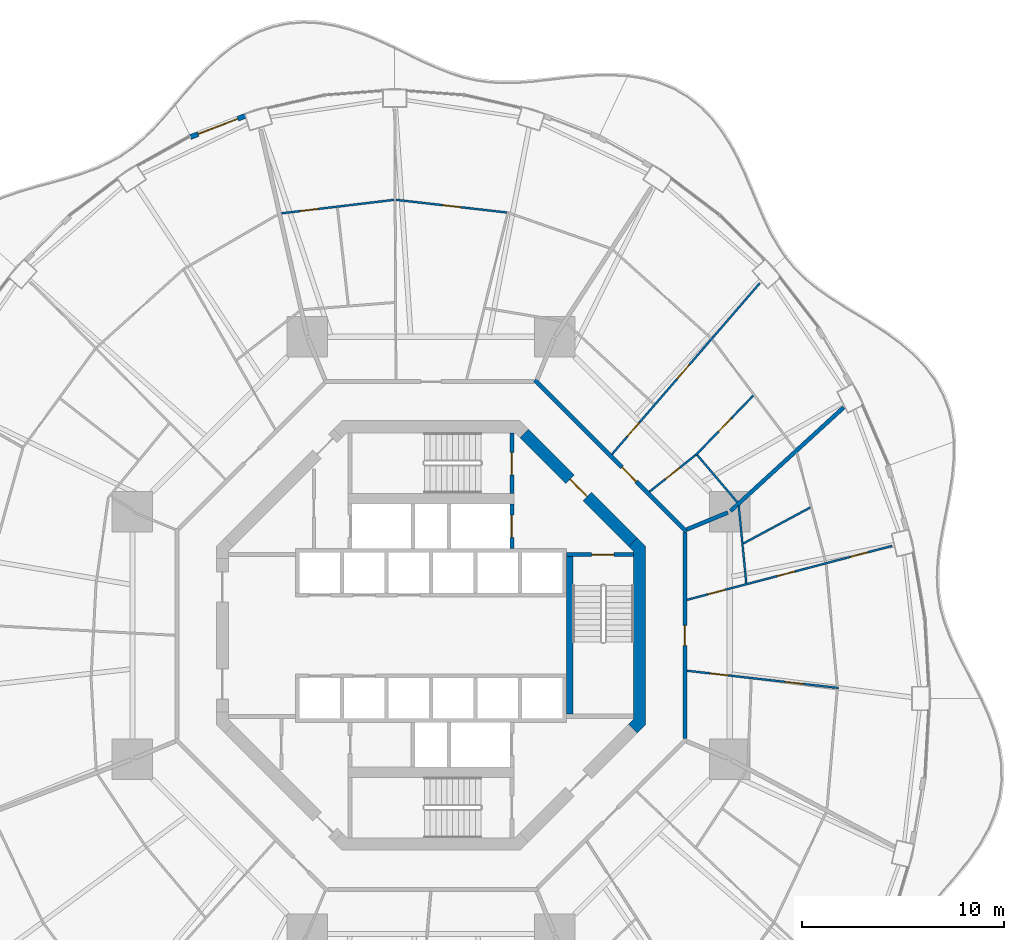
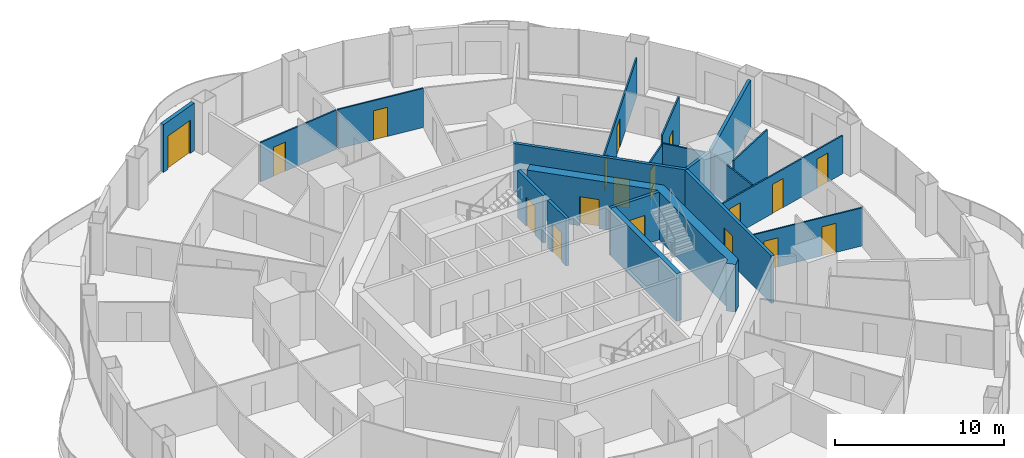
# One storey, part 16 of 20: 21 walls, 18 doors, 18 openings.
"""IFC4 building model written with IfcOpenShell, lengths in metres."""

from ifc_helpers import new_model, si_unit, direction, frame, frame_2d, origin, place, context, subcontext, project, spatial, polyline, rectangle, outline, extrude, material, layer, layer_set, type_object, element, fill, save


model = new_model("IFC4")

# Units and contexts
model_context = context("Model", 3, precision=1e-05, world=origin(), true_north=direction((0.0, 1.0)))
body_context = subcontext(model_context, "Body", "Model", "MODEL_VIEW")
ifc_project = project(units=[si_unit("LENGTHUNIT", "METRE"), si_unit("AREAUNIT", "SQUARE_METRE"), si_unit("VOLUMEUNIT", "CUBIC_METRE"), si_unit("PLANEANGLEUNIT", "RADIAN"), si_unit("MASSUNIT", "GRAM", prefix="KILO")], contexts=[model_context])

# Site, building, storey
site_placement = place(None, origin())
site = spatial("IfcSite", under=ifc_project, at=site_placement, CompositionType="ELEMENT")
building_placement = place(site_placement, origin())
building = spatial("IfcBuilding", under=site, at=building_placement, Name="Nagisa Residences", CompositionType="ELEMENT")
storey_placement = place(building_placement, frame((0.0, 0.0, 152.89990234375)))
storey = spatial("IfcBuildingStorey", under=building, at=storey_placement, Name="L38", CompositionType="ELEMENT", Elevation=152.89990234375)

# Walls
ifc_material_1 = material(Name="Gypsum board on steel studs", Category="steel")
ifc_layer_1 = layer(ifc_material_1, 0.199951171875)
ifc_layer_set_1 = layer_set([ifc_layer_1], Name="Apartment compartment wall EI60 200")
wall_type_1 = type_object("IfcWallType", Name="Apartment compartment wall EI60 200", PredefinedType="PARTITIONING", material=ifc_layer_set_1)
wall_1_placement = place(storey_placement, frame((12.6572265625, 5.24267578125, 0.0), z_axis=(0.0, 0.0, 1.0), x_axis=(0.923876145736, 0.382691608661, 0.0)))
element("IfcWall", 1, at=wall_1_placement, inside=storey, type_object=wall_type_1, Name="wall:L38:u00", PredefinedType="PARTITIONING", context=body_context, shape_type="SweptSolid", body=[
    extrude(rectangle(XDim=2.19970703125, YDim=0.199951171875, at=frame_2d((1.099853515625, 0.0))), origin(), (0.0, 0.0, 1.0), 3.440185546875),
])
wall_2_placement = place(storey_placement, frame((14.81884765625, 6.15673828125, 0.0), z_axis=(0.0, 0.0, 1.0), x_axis=(0.737608883396, 0.675228209671, 0.0)))
element("IfcWall", 2, at=wall_2_placement, inside=storey, type_object=wall_type_1, Name="wall:L38:u01", PredefinedType="PARTITIONING", context=body_context, shape_type="SweptSolid", body=[
    extrude(rectangle(XDim=7.596435546875, YDim=0.199951171875, at=frame_2d((3.79833984375, 0.0))), origin(), (0.0, 0.0, 1.0), 3.440185546875),
])

# Wall, opening, door
ifc_material_2 = material(Name="Gypsum board on steel studs", Category="steel")
ifc_layer_2 = layer(ifc_material_2, 0.199951171875)
ifc_layer_set_2 = layer_set([ifc_layer_2], Name="Apartment entry wall EI60 200")
wall_type_2 = type_object("IfcWallType", Name="Apartment entry wall EI60 200", PredefinedType="PARTITIONING", material=ifc_layer_set_2)
wall_3_placement = place(storey_placement, frame((12.564697265625, -5.1044921875, 0.0), z_axis=(0.0, 0.0, 1.0), x_axis=(0.0, 1.0, 0.0)))
wall_3 = element("IfcWall", 3, at=wall_3_placement, inside=storey, type_object=wall_type_2, Name="wall:L38:u12", PredefinedType="PARTITIONING", context=body_context, shape_type="SweptSolid", body=[
    extrude(rectangle(XDim=10.208984375, YDim=0.199951171875, at=frame_2d((5.1044921875, 0.0))), origin(), (0.0, 0.0, 1.0), 3.440185546875),
])
opening_1_placement = place(wall_3_placement, frame((4.6044921875, 0.0, 0.0)))
opening_1 = element("IfcOpeningElement", 4, at=opening_1_placement, cuts=wall_3, Name="Opening L38-U09", PredefinedType="OPENING", context=body_context, shape_type="SweptSolid", body=[
    extrude(rectangle(XDim=1.0, YDim=2.10009765625, at=frame_2d((0.5, 1.050048828125))), frame((0.0, 0.10986328125, 0.0), z_axis=(0.0, -1.0, 0.0), x_axis=(1.0, 0.0, 0.0)), (0.0, 0.0, 1.0), 0.219970703125),
])
ifc_material_3 = material(Name="Timber fire door set", Category="wood")
door_type_1 = type_object("IfcDoorType", Name="Apartment entry door FD30S 1000x2100", OperationType="NOTDEFINED", PredefinedType="DOOR", material=ifc_material_3)
door_1_placement = place(opening_1_placement, frame((1.0, 0.0, 0.0), x_axis=(-1.0, 0.0, 0.0)))
door_1 = element("IfcDoor", 5, at=door_1_placement, inside=storey, type_object=door_type_1, Name="Entry door, Apartment 38B", OperationType="SINGLE_SWING_RIGHT", OverallHeight=2.10009765625, OverallWidth=1.0, PredefinedType="DOOR", context=body_context, shape_type="SweptSolid", body=[
    extrude(rectangle(XDim=1.0, YDim=2.10009765625, at=frame_2d((0.5, 1.050048828125))), frame((0.0, 0.02490234375, 0.0), z_axis=(0.0, -1.0, 0.0), x_axis=(1.0, 0.0, 0.0)), (0.0, 0.0, 1.0), 0.050048828125),
])
fill(opening_1, door_1)

wall_4_placement = place(storey_placement, frame((12.635498046875, 5.1337890625, 0.0), z_axis=(0.0, 0.0, 1.0), x_axis=(-0.707106781187, 0.707106781187, 0.0)))
wall_4 = element("IfcWall", 6, at=wall_4_placement, inside=storey, type_object=wall_type_2, Name="wall:L38:u13", PredefinedType="PARTITIONING", context=body_context, shape_type="SweptSolid", body=[
    extrude(rectangle(XDim=10.609130859375, YDim=0.199951171875, at=frame_2d((5.3046875, 0.0))), origin(), (0.0, 0.0, 1.0), 3.440185546875),
])
opening_2_placement = place(wall_4_placement, frame((3.50341796875, 0.0, 0.0)))
opening_2 = element("IfcOpeningElement", 7, at=opening_2_placement, cuts=wall_4, Name="Opening L38-U17", PredefinedType="OPENING", context=body_context, shape_type="SweptSolid", body=[
    extrude(rectangle(XDim=1.0, YDim=2.10009765625, at=frame_2d((0.5, 1.050048828125))), frame((0.0, 0.10986328125, 0.0), z_axis=(0.0, -1.0, 0.0), x_axis=(1.0, 0.0, 0.0)), (0.0, 0.0, 1.0), 0.219970703125),
])
door_2_placement = place(opening_2_placement, frame((1.0, 0.0, 0.0), x_axis=(-1.0, 0.0, 0.0)))
door_2 = element("IfcDoor", 8, at=door_2_placement, inside=storey, type_object=door_type_1, Name="Entry door, Apartment 38C", OperationType="SINGLE_SWING_RIGHT", OverallHeight=2.10009765625, OverallWidth=1.0, PredefinedType="DOOR", context=body_context, shape_type="SweptSolid", body=[
    extrude(rectangle(XDim=1.0, YDim=2.10009765625, at=frame_2d((0.5, 1.050048828125))), frame((0.0, 0.02490234375, 0.0), z_axis=(0.0, -1.0, 0.0), x_axis=(1.0, 0.0, 0.0)), (0.0, 0.0, 1.0), 0.050048828125),
])
fill(opening_2, door_2)

# Wall, openings, doors
ifc_material_4 = material(Name="Gypsum board on steel studs", Category="steel")
ifc_layer_3 = layer(ifc_material_4, 0.10009765625)
ifc_layer_set_3 = layer_set([ifc_layer_3], Name="Apartment partition 100")
wall_type_3 = type_object("IfcWallType", Name="Apartment partition 100", PredefinedType="PARTITIONING", material=ifc_layer_set_3)
wall_5_placement = place(storey_placement, frame((12.6640625, -1.74609375, 0.0), z_axis=(0.0, 0.0, 1.0), x_axis=(0.993605172276, -0.112910414164, 0.0)))
wall_5 = element("IfcWall", 9, at=wall_5_placement, inside=storey, type_object=wall_type_3, Name="wall:L38:u20", PredefinedType="PARTITIONING", context=body_context, shape_type="SweptSolid", body=[
    extrude(rectangle(XDim=7.544189453125, YDim=0.10009765625, at=frame_2d((3.77197265625, 0.0))), origin(), (0.0, 0.0, 1.0), 2.756103515625),
])
opening_3_placement = place(wall_5_placement, frame((1.153564453125, 0.0, 0.0)))
opening_3 = element("IfcOpeningElement", 10, at=opening_3_placement, cuts=wall_5, Name="Opening L38-U10", PredefinedType="OPENING", context=body_context, shape_type="SweptSolid", body=[
    extrude(rectangle(XDim=0.89990234375, YDim=2.10009765625, at=frame_2d((0.449951171875, 1.050048828125))), frame((0.0, 0.06005859375, 0.0), z_axis=(0.0, -1.0, 0.0), x_axis=(1.0, 0.0, 0.0)), (0.0, 0.0, 1.0), 0.1201171875),
])
opening_4_placement = place(wall_5_placement, frame((4.900634765625, 0.0, 0.0)))
opening_4 = element("IfcOpeningElement", 11, at=opening_4_placement, cuts=wall_5, Name="Opening L38-U12", PredefinedType="OPENING", context=body_context, shape_type="SweptSolid", body=[
    extrude(rectangle(XDim=0.89990234375, YDim=2.10009765625, at=frame_2d((0.449951171875, 1.050048828125))), frame((0.0, 0.06005859375, 0.0), z_axis=(0.0, -1.0, 0.0), x_axis=(1.0, 0.0, 0.0)), (0.0, 0.0, 1.0), 0.1201171875),
])
ifc_material_5 = material(Name="Timber door set", Category="wood")
door_type_2 = type_object("IfcDoorType", Name="Apartment door 900x2100", OperationType="NOTDEFINED", PredefinedType="DOOR", material=ifc_material_5)
door_3_placement = place(opening_3_placement, frame((0.89990234375, 0.0, 0.0), x_axis=(-1.0, 0.0, 0.0)))
door_3 = element("IfcDoor", 12, at=door_3_placement, inside=storey, type_object=door_type_2, Name="Door to family bathroom, Apartment 38B", OperationType="SINGLE_SWING_LEFT", OverallHeight=2.10009765625, OverallWidth=0.89990234375, PredefinedType="DOOR", context=body_context, shape_type="SweptSolid", body=[
    extrude(rectangle(XDim=0.89990234375, YDim=2.10009765625, at=frame_2d((0.449951171875, 1.050048828125))), frame((0.0, 0.02490234375, 0.0), z_axis=(0.0, -1.0, 0.0), x_axis=(1.0, 0.0, 0.0)), (0.0, 0.0, 1.0), 0.050048828125),
])
fill(opening_3, door_3)
door_4_placement = place(opening_4_placement, frame((0.89990234375, 0.0, 0.0), x_axis=(-1.0, 0.0, 0.0)))
door_4 = element("IfcDoor", 13, at=door_4_placement, inside=storey, type_object=door_type_2, Name="Door to kitchen, Apartment 38B", OperationType="SINGLE_SWING_LEFT", OverallHeight=2.10009765625, OverallWidth=0.89990234375, PredefinedType="DOOR", context=body_context, shape_type="SweptSolid", body=[
    extrude(rectangle(XDim=0.89990234375, YDim=2.10009765625, at=frame_2d((0.449951171875, 1.050048828125))), frame((0.0, 0.02490234375, 0.0), z_axis=(0.0, -1.0, 0.0), x_axis=(1.0, 0.0, 0.0)), (0.0, 0.0, 1.0), 0.050048828125),
])
fill(opening_4, door_4)

wall_6_placement = place(storey_placement, frame((12.661376953125, 1.76025390625, 0.0), z_axis=(0.0, 0.0, 1.0), x_axis=(0.967120304949, 0.254319318488, 0.0)))
wall_6 = element("IfcWall", 14, at=wall_6_placement, inside=storey, type_object=wall_type_3, Name="wall:L38:u24", PredefinedType="PARTITIONING", context=body_context, shape_type="SweptSolid", body=[
    extrude(rectangle(XDim=10.499267578125, YDim=0.10009765625, at=frame_2d((5.24951171875, 0.0))), origin(), (0.0, 0.0, 1.0), 2.756103515625),
])
opening_5_placement = place(wall_6_placement, frame((1.072509765625, 0.0, 0.0)))
opening_5 = element("IfcOpeningElement", 15, at=opening_5_placement, cuts=wall_6, Name="Opening L38-U11", PredefinedType="OPENING", context=body_context, shape_type="SweptSolid", body=[
    extrude(rectangle(XDim=0.89990234375, YDim=2.10009765625, at=frame_2d((0.449951171875, 1.050048828125))), frame((0.0, 0.06005859375, 0.0), z_axis=(0.0, -1.0, 0.0), x_axis=(1.0, 0.0, 0.0)), (0.0, 0.0, 1.0), 0.1201171875),
])
opening_6_placement = place(wall_6_placement, frame((4.6337890625, 0.0, 0.0)))
opening_6 = element("IfcOpeningElement", 16, at=opening_6_placement, cuts=wall_6, Name="Opening L38-U13", PredefinedType="OPENING", context=body_context, shape_type="SweptSolid", body=[
    extrude(rectangle(XDim=0.89990234375, YDim=2.10009765625, at=frame_2d((0.449951171875, 1.050048828125))), frame((0.0, 0.06005859375, 0.0), z_axis=(0.0, -1.0, 0.0), x_axis=(1.0, 0.0, 0.0)), (0.0, 0.0, 1.0), 0.1201171875),
])
opening_7_placement = place(wall_6_placement, frame((8.36083984375, 0.0, 0.0)))
opening_7 = element("IfcOpeningElement", 17, at=opening_7_placement, cuts=wall_6, Name="Opening L38-U15", PredefinedType="OPENING", context=body_context, shape_type="SweptSolid", body=[
    extrude(rectangle(XDim=0.89990234375, YDim=2.10009765625, at=frame_2d((0.449951171875, 1.050048828125))), frame((0.0, 0.06005859375, 0.0), z_axis=(0.0, -1.0, 0.0), x_axis=(1.0, 0.0, 0.0)), (0.0, 0.0, 1.0), 0.1201171875),
])
door_5_placement = place(opening_5_placement, origin())
door_5 = element("IfcDoor", 18, at=door_5_placement, inside=storey, type_object=door_type_2, Name="Door to family bathroom, Apartment 38B", OperationType="SINGLE_SWING_LEFT", OverallHeight=2.10009765625, OverallWidth=0.89990234375, PredefinedType="DOOR", context=body_context, shape_type="SweptSolid", body=[
    extrude(rectangle(XDim=0.89990234375, YDim=2.10009765625, at=frame_2d((0.449951171875, 1.050048828125))), frame((0.0, 0.02490234375, 0.0), z_axis=(0.0, -1.0, 0.0), x_axis=(1.0, 0.0, 0.0)), (0.0, 0.0, 1.0), 0.050048828125),
])
fill(opening_5, door_5)
door_6_placement = place(opening_6_placement, origin())
door_6 = element("IfcDoor", 19, at=door_6_placement, inside=storey, type_object=door_type_2, Name="Door to family bathroom, Apartment 38B", OperationType="SINGLE_SWING_LEFT", OverallHeight=2.10009765625, OverallWidth=0.89990234375, PredefinedType="DOOR", context=body_context, shape_type="SweptSolid", body=[
    extrude(rectangle(XDim=0.89990234375, YDim=2.10009765625, at=frame_2d((0.449951171875, 1.050048828125))), frame((0.0, 0.02490234375, 0.0), z_axis=(0.0, -1.0, 0.0), x_axis=(1.0, 0.0, 0.0)), (0.0, 0.0, 1.0), 0.050048828125),
])
fill(opening_6, door_6)
door_7_placement = place(opening_7_placement, origin())
door_7 = element("IfcDoor", 20, at=door_7_placement, inside=storey, type_object=door_type_2, Name="Door to bedroom, Apartment 38B", OperationType="SINGLE_SWING_LEFT", OverallHeight=2.10009765625, OverallWidth=0.89990234375, PredefinedType="DOOR", context=body_context, shape_type="SweptSolid", body=[
    extrude(rectangle(XDim=0.89990234375, YDim=2.10009765625, at=frame_2d((0.449951171875, 1.050048828125))), frame((0.0, 0.02490234375, 0.0), z_axis=(0.0, -1.0, 0.0), x_axis=(1.0, 0.0, 0.0)), (0.0, 0.0, 1.0), 0.050048828125),
])
fill(opening_7, door_7)

# Walls
wall_7_placement = place(storey_placement, frame((15.601806640625, 2.58447265625, 0.0), z_axis=(0.0, 0.0, 1.0), x_axis=(-0.097196343206, 0.995265226393, 0.0)))
element("IfcWall", 21, at=wall_7_placement, inside=storey, type_object=wall_type_3, Name="wall:L38:u25", PredefinedType="PARTITIONING", context=body_context, shape_type="SweptSolid", body=[
    extrude(rectangle(XDim=3.855712890625, YDim=0.10009765625, at=frame_2d((1.927734375, 0.0))), origin(), (0.0, 0.0, 1.0), 2.828125),
])
wall_8_placement = place(storey_placement, frame((15.4560546875, 4.5517578125, 0.0), z_axis=(0.0, 0.0, 1.0), x_axis=(0.8809418045, 0.473224615889, 0.0)))
element("IfcWall", 22, at=wall_8_placement, inside=storey, type_object=wall_type_3, Name="wall:L38:u27", PredefinedType="PARTITIONING", context=body_context, shape_type="SweptSolid", body=[
    extrude(rectangle(XDim=3.760498046875, YDim=0.10009765625, at=frame_2d((1.88037109375, 0.0))), origin(), (0.0, 0.0, 1.0), 3.440185546875),
])
wall_9_placement = place(storey_placement, frame((15.152587890625, 6.597412109375, 0.0), z_axis=(0.0, 0.0, 1.0), x_axis=(-0.647384064422, 0.762163941113, 0.0)))
element("IfcWall", 23, at=wall_9_placement, inside=storey, type_object=wall_type_3, Name="wall:L38:u28", PredefinedType="PARTITIONING", context=body_context, shape_type="SweptSolid", body=[
    extrude(rectangle(XDim=3.056640625, YDim=0.10009765625, at=frame_2d((1.5283203125, 0.0))), origin(), (0.0, 0.0, 1.0), 2.828125),
])

# Wall, opening, door
wall_10_placement = place(storey_placement, frame((10.802978515625, 7.106689453125, 0.0), z_axis=(0.0, 0.0, 1.0), x_axis=(0.782908385935, 0.622137010017, 0.0)))
wall_10 = element("IfcWall", 24, at=wall_10_placement, inside=storey, type_object=wall_type_3, Name="wall:L38:u30", PredefinedType="PARTITIONING", context=body_context, shape_type="SweptSolid", body=[
    extrude(rectangle(XDim=2.93701171875, YDim=0.10009765625, at=frame_2d((1.468505859375, 0.0))), origin(), (0.0, 0.0, 1.0), 2.756103515625),
])
opening_8_placement = place(wall_10_placement, frame((1.0185546875, 0.0, 0.0)))
opening_8 = element("IfcOpeningElement", 25, at=opening_8_placement, cuts=wall_10, Name="Opening L38-U18", PredefinedType="OPENING", context=body_context, shape_type="SweptSolid", body=[
    extrude(rectangle(XDim=0.89990234375, YDim=2.10009765625, at=frame_2d((0.449951171875, 1.050048828125))), frame((0.0, 0.06005859375, 0.0), z_axis=(0.0, -1.0, 0.0), x_axis=(1.0, 0.0, 0.0)), (0.0, 0.0, 1.0), 0.1201171875),
])
door_8_placement = place(opening_8_placement, frame((0.89990234375, 0.0, 0.0), x_axis=(-1.0, 0.0, 0.0)))
door_8 = element("IfcDoor", 26, at=door_8_placement, inside=storey, type_object=door_type_2, Name="Door to family bathroom, Apartment 38C", OperationType="SINGLE_SWING_LEFT", OverallHeight=2.10009765625, OverallWidth=0.89990234375, PredefinedType="DOOR", context=body_context, shape_type="SweptSolid", body=[
    extrude(rectangle(XDim=0.89990234375, YDim=2.10009765625, at=frame_2d((0.449951171875, 1.050048828125))), frame((0.0, 0.02490234375, 0.0), z_axis=(0.0, -1.0, 0.0), x_axis=(1.0, 0.0, 0.0)), (0.0, 0.0, 1.0), 0.050048828125),
])
fill(opening_8, door_8)

wall_11_placement = place(storey_placement, frame((13.106689453125, 8.928955078125, 0.0), z_axis=(0.0, 0.0, 1.0), x_axis=(0.694592384931, 0.719403515974, 0.0)))
wall_11 = element("IfcWall", 27, at=wall_11_placement, inside=storey, type_object=wall_type_3, Name="wall:L38:u31", PredefinedType="PARTITIONING", context=body_context, shape_type="SweptSolid", body=[
    extrude(rectangle(XDim=4.093505859375, YDim=0.10009765625, at=frame_2d((2.046875, 0.0))), origin(), (0.0, 0.0, 1.0), 3.440185546875),
])
opening_9_placement = place(wall_11_placement, frame((1.62158203125, 0.0, 0.0)))
opening_9 = element("IfcOpeningElement", 28, at=opening_9_placement, cuts=wall_11, Name="Opening L38-U20", PredefinedType="OPENING", context=body_context, shape_type="SweptSolid", body=[
    extrude(rectangle(XDim=0.89990234375, YDim=2.10009765625, at=frame_2d((0.449951171875, 1.050048828125))), frame((0.0, 0.06005859375, 0.0), z_axis=(0.0, -1.0, 0.0), x_axis=(1.0, 0.0, 0.0)), (0.0, 0.0, 1.0), 0.1201171875),
])
door_9_placement = place(opening_9_placement, frame((0.89990234375, 0.0, 0.0), x_axis=(-1.0, 0.0, 0.0)))
door_9 = element("IfcDoor", 29, at=door_9_placement, inside=storey, type_object=door_type_2, Name="Door to family bathroom, Apartment 38C", OperationType="SINGLE_SWING_LEFT", OverallHeight=2.10009765625, OverallWidth=0.89990234375, PredefinedType="DOOR", context=body_context, shape_type="SweptSolid", body=[
    extrude(rectangle(XDim=0.89990234375, YDim=2.10009765625, at=frame_2d((0.449951171875, 1.050048828125))), frame((0.0, 0.02490234375, 0.0), z_axis=(0.0, -1.0, 0.0), x_axis=(1.0, 0.0, 0.0)), (0.0, 0.0, 1.0), 0.050048828125),
])
fill(opening_9, door_9)

# Wall, openings, doors
wall_12_placement = place(storey_placement, frame((8.949951171875, 8.960205078125, 0.0), z_axis=(0.0, 0.0, 1.0), x_axis=(0.653830241148, 0.756641272837, 0.0)))
wall_12 = element("IfcWall", 30, at=wall_12_placement, inside=storey, type_object=wall_type_3, Name="wall:L38:u32", PredefinedType="PARTITIONING", context=body_context, shape_type="SweptSolid", body=[
    extrude(rectangle(XDim=11.208251953125, YDim=0.10009765625, at=frame_2d((5.60400390625, 0.0))), origin(), (0.0, 0.0, 1.0), 2.756103515625),
])
opening_10_placement = place(wall_12_placement, frame((1.16796875, 0.0, 0.0)))
opening_10 = element("IfcOpeningElement", 31, at=opening_10_placement, cuts=wall_12, Name="Opening L38-U19", PredefinedType="OPENING", context=body_context, shape_type="SweptSolid", body=[
    extrude(rectangle(XDim=0.89990234375, YDim=2.10009765625, at=frame_2d((0.449951171875, 1.050048828125))), frame((0.0, 0.06005859375, 0.0), z_axis=(0.0, -1.0, 0.0), x_axis=(1.0, 0.0, 0.0)), (0.0, 0.0, 1.0), 0.1201171875),
])
opening_11_placement = place(wall_12_placement, frame((4.9482421875, 0.0, 0.0)))
opening_11 = element("IfcOpeningElement", 32, at=opening_11_placement, cuts=wall_12, Name="Opening L38-U21", PredefinedType="OPENING", context=body_context, shape_type="SweptSolid", body=[
    extrude(rectangle(XDim=0.89990234375, YDim=2.10009765625, at=frame_2d((0.449951171875, 1.050048828125))), frame((0.0, 0.06005859375, 0.0), z_axis=(0.0, -1.0, 0.0), x_axis=(1.0, 0.0, 0.0)), (0.0, 0.0, 1.0), 0.1201171875),
])
door_10_placement = place(opening_10_placement, origin())
door_10 = element("IfcDoor", 33, at=door_10_placement, inside=storey, type_object=door_type_2, Name="Door to laundry, Apartment 38C", OperationType="SINGLE_SWING_LEFT", OverallHeight=2.10009765625, OverallWidth=0.89990234375, PredefinedType="DOOR", context=body_context, shape_type="SweptSolid", body=[
    extrude(rectangle(XDim=0.89990234375, YDim=2.10009765625, at=frame_2d((0.449951171875, 1.050048828125))), frame((0.0, 0.02490234375, 0.0), z_axis=(0.0, -1.0, 0.0), x_axis=(1.0, 0.0, 0.0)), (0.0, 0.0, 1.0), 0.050048828125),
])
fill(opening_10, door_10)
door_11_placement = place(opening_11_placement, origin())
door_11 = element("IfcDoor", 34, at=door_11_placement, inside=storey, type_object=door_type_2, Name="Door to kitchen, Apartment 38C", OperationType="SINGLE_SWING_LEFT", OverallHeight=2.10009765625, OverallWidth=0.89990234375, PredefinedType="DOOR", context=body_context, shape_type="SweptSolid", body=[
    extrude(rectangle(XDim=0.89990234375, YDim=2.10009765625, at=frame_2d((0.449951171875, 1.050048828125))), frame((0.0, 0.02490234375, 0.0), z_axis=(0.0, -1.0, 0.0), x_axis=(1.0, 0.0, 0.0)), (0.0, 0.0, 1.0), 0.050048828125),
])
fill(opening_11, door_11)

# Wall, opening, door
wall_13_placement = place(storey_placement, frame((3.75146484375, 20.930419921875, 0.0), z_axis=(0.0, 0.0, 1.0), x_axis=(-0.993522105273, 0.113639017658, 0.0)))
wall_13 = element("IfcWall", 35, at=wall_13_placement, inside=storey, type_object=wall_type_3, Name="wall:L38:u38", PredefinedType="PARTITIONING", context=body_context, shape_type="SweptSolid", body=[
    extrude(rectangle(XDim=5.5126953125, YDim=0.10009765625, at=frame_2d((2.75634765625, 0.0))), origin(), (0.0, 0.0, 1.0), 2.828125),
])
opening_12_placement = place(wall_13_placement, frame((2.306396484375, 0.0, 0.0)))
opening_12 = element("IfcOpeningElement", 36, at=opening_12_placement, cuts=wall_13, Name="Opening L38-U29", PredefinedType="OPENING", context=body_context, shape_type="SweptSolid", body=[
    extrude(rectangle(XDim=0.89990234375, YDim=2.10009765625, at=frame_2d((0.449951171875, 1.050048828125))), frame((0.0, 0.06005859375, 0.0), z_axis=(0.0, -1.0, 0.0), x_axis=(1.0, 0.0, 0.0)), (0.0, 0.0, 1.0), 0.1201171875),
])
door_12_placement = place(opening_12_placement, frame((0.89990234375, 0.0, 0.0), x_axis=(-1.0, 0.0, 0.0)))
door_12 = element("IfcDoor", 37, at=door_12_placement, inside=storey, type_object=door_type_2, Name="Door to living room, Apartment 38D", OperationType="SINGLE_SWING_RIGHT", OverallHeight=2.10009765625, OverallWidth=0.89990234375, PredefinedType="DOOR", context=body_context, shape_type="SweptSolid", body=[
    extrude(rectangle(XDim=0.89990234375, YDim=2.10009765625, at=frame_2d((0.449951171875, 1.050048828125))), frame((0.0, 0.02490234375, 0.0), z_axis=(0.0, -1.0, 0.0), x_axis=(1.0, 0.0, 0.0)), (0.0, 0.0, 1.0), 0.050048828125),
])
fill(opening_12, door_12)

wall_14_placement = place(storey_placement, frame((-1.824951171875, 21.556640625, 0.0), z_axis=(0.0, 0.0, 1.0), x_axis=(-0.992915053711, -0.11882632753, 0.0)))
wall_14 = element("IfcWall", 38, at=wall_14_placement, inside=storey, type_object=wall_type_3, Name="wall:L38:u41", PredefinedType="PARTITIONING", context=body_context, shape_type="SweptSolid", body=[
    extrude(rectangle(XDim=5.615234375, YDim=0.10009765625, at=frame_2d((2.8076171875, 0.0))), origin(), (0.0, 0.0, 1.0), 2.828125),
])
opening_13_placement = place(wall_14_placement, frame((3.77392578125, 0.0, 0.0)))
opening_13 = element("IfcOpeningElement", 39, at=opening_13_placement, cuts=wall_14, Name="Opening L38-U31", PredefinedType="OPENING", context=body_context, shape_type="SweptSolid", body=[
    extrude(rectangle(XDim=0.89990234375, YDim=2.10009765625, at=frame_2d((0.449951171875, 1.050048828125))), frame((0.0, 0.06005859375, 0.0), z_axis=(0.0, -1.0, 0.0), x_axis=(1.0, 0.0, 0.0)), (0.0, 0.0, 1.0), 0.1201171875),
])
door_13_placement = place(opening_13_placement, origin())
door_13 = element("IfcDoor", 40, at=door_13_placement, inside=storey, type_object=door_type_2, Name="Door to en-suite bathroom, Apartment 38D", OperationType="SINGLE_SWING_LEFT", OverallHeight=2.10009765625, OverallWidth=0.89990234375, PredefinedType="DOOR", context=body_context, shape_type="SweptSolid", body=[
    extrude(rectangle(XDim=0.89990234375, YDim=2.10009765625, at=frame_2d((0.449951171875, 1.050048828125))), frame((0.0, 0.02490234375, 0.0), z_axis=(0.0, -1.0, 0.0), x_axis=(1.0, 0.0, 0.0)), (0.0, 0.0, 1.0), 0.050048828125),
])
fill(opening_13, door_13)

ifc_material_6 = material(Name="Precast concrete C40/50", Category="concrete")
ifc_layer_4 = layer(ifc_material_6, 0.25)
ifc_layer_set_4 = layer_set([ifc_layer_4], Name="BALCONY DOOR WALL 250")
wall_type_4 = type_object("IfcWallType", Name="BALCONY DOOR WALL 250", PredefinedType="SOLIDWALL", material=ifc_layer_set_4)
wall_15_placement = place(storey_placement, frame((-11.909423828125, 24.662353515625, 0.0), z_axis=(0.0, 0.0, 1.0), x_axis=(0.932845344347, 0.360277064952, 0.0)))
wall_15 = element("IfcWall", 41, at=wall_15_placement, inside=storey, type_object=wall_type_4, Name="wall:L38:bay14", PredefinedType="SOLIDWALL", context=body_context, shape_type="SweptSolid", body=[
    extrude(rectangle(XDim=2.92333984375, YDim=0.25, at=frame_2d((1.461669921875, 0.0))), origin(), (0.0, 0.0, 1.0), 3.440185546875),
])
opening_14_placement = place(wall_15_placement, frame((0.41162109375, 0.0, 0.0)))
opening_14 = element("IfcOpeningElement", 42, at=opening_14_placement, cuts=wall_15, Name="Opening BD-L38-05", PredefinedType="OPENING", context=body_context, shape_type="SweptSolid", body=[
    extrude(rectangle(XDim=2.10009765625, YDim=2.39990234375, at=frame_2d((1.050048828125, 1.199951171875))), frame((0.0, 0.135009765625, 0.0), z_axis=(0.0, -1.0, 0.0), x_axis=(1.0, 0.0, 0.0)), (0.0, 0.0, 1.0), 0.27001953125),
])
ifc_material_7 = material(Name="Aluminium and clear glass", Category="aluminium")
door_type_3 = type_object("IfcDoorType", Name="BALCONY SLIDING DOOR 2100x2400", OperationType="SLIDING_TO_LEFT", PredefinedType="DOOR", material=ifc_material_7)
door_14_placement = place(opening_14_placement, origin())
door_14 = element("IfcDoor", 43, at=door_14_placement, inside=storey, type_object=door_type_3, Name="door:L38:bay14", OperationType="SLIDING_TO_LEFT", OverallHeight=2.39990234375, OverallWidth=2.10009765625, PredefinedType="DOOR", context=body_context, shape_type="SweptSolid", body=[
    extrude(rectangle(XDim=2.10009765625, YDim=2.39990234375, at=frame_2d((1.050048828125, 1.199951171875))), frame((0.0, 0.02490234375, 0.0), z_axis=(0.0, -1.0, 0.0), x_axis=(1.0, 0.0, 0.0)), (0.0, 0.0, 1.0), 0.050048828125),
])
fill(opening_14, door_14)

ifc_material_8 = material(Name="Concrete C60", Category="concrete")
ifc_layer_5 = layer(ifc_material_8, 0.60009765625)
ifc_layer_set_5 = layer_set([ifc_layer_5], Name="Core shear wall 600")
wall_type_5 = type_object("IfcWallType", Name="Core shear wall 600", PredefinedType="SHEAR", material=ifc_layer_set_5)
wall_16_placement = place(storey_placement, frame((9.98828125, 4.613037109375, 0.0), z_axis=(0.0, 0.0, 1.0), x_axis=(-0.707106781187, 0.707106781187, 0.0)))
wall_16 = element("IfcWall", 44, at=wall_16_placement, inside=storey, type_object=wall_type_5, Name="wall:L38:core:flat1", PredefinedType="SHEAR", context=body_context, shape_type="SweptSolid", body=[
    extrude(rectangle(XDim=7.601806640625, YDim=0.60009765625, at=frame_2d((3.80078125, 0.0))), origin(), (0.0, 0.0, 1.0), 3.440185546875),
])
opening_15_placement = place(wall_16_placement, frame((3.200927734375, 0.0, 0.0)))
opening_15 = element("IfcOpeningElement", 45, at=opening_15_placement, cuts=wall_16, Name="Opening L38-C15", PredefinedType="OPENING", context=body_context, shape_type="SweptSolid", body=[
    extrude(rectangle(XDim=1.199951171875, YDim=2.10009765625, at=frame_2d((0.60009765625, 1.050048828125))), frame((0.0, 0.31005859375, 0.0), z_axis=(0.0, -1.0, 0.0), x_axis=(1.0, 0.0, 0.0)), (0.0, 0.0, 1.0), 0.6201171875),
])
ifc_material_9 = material(Name="Steel fire door", Category="steel")
door_type_4 = type_object("IfcDoorType", Name="Fire door EI60 1200x2100 single swing", OperationType="NOTDEFINED", PredefinedType="DOOR", material=ifc_material_9)
door_15_placement = place(opening_15_placement, origin())
door_15 = element("IfcDoor", 46, at=door_15_placement, inside=storey, type_object=door_type_4, Name="Firefighting lobby 1 door L38", OperationType="SINGLE_SWING_LEFT", OverallHeight=2.10009765625, OverallWidth=1.199951171875, PredefinedType="DOOR", context=body_context, shape_type="SweptSolid", body=[
    extrude(rectangle(XDim=1.199951171875, YDim=2.10009765625, at=frame_2d((0.60009765625, 1.050048828125))), frame((0.0, 0.02490234375, 0.0), z_axis=(0.0, -1.0, 0.0), x_axis=(1.0, 0.0, 0.0)), (0.0, 0.0, 1.0), 0.050048828125),
])
fill(opening_15, door_15)

# Wall
wall_17_placement = place(storey_placement, origin())
element("IfcWall", 47, at=wall_17_placement, inside=storey, type_object=wall_type_5, Name="wall:L38:core:flat0", PredefinedType="SHEAR", context=body_context, shape_type="SweptSolid", body=[
    extrude(outline(polyline([(9.776123046875, -4.40087890625), (10.024658203125, -4.15234375), (10.024658203125, -3.801025390625), (10.024658203125, 4.15234375), (9.776123046875, 4.40087890625), (10.200439453125, 4.8251953125), (10.62451171875, 4.40087890625), (10.62451171875, -4.40087890625), (10.200439453125, -4.8251953125), (9.776123046875, -4.40087890625)])), origin(), (0.0, 0.0, 1.0), 3.440185546875),
])

# Wall, opening, door
ifc_material_10 = material(Name="Concrete C60", Category="concrete")
ifc_layer_6 = layer(ifc_material_10, 0.199951171875)
ifc_layer_set_6 = layer_set([ifc_layer_6], Name="Lift shaft wall 200")
wall_type_6 = type_object("IfcWallType", Name="Lift shaft wall 200", PredefinedType="SOLIDWALL", material=ifc_layer_set_6)
wall_18_placement = place(storey_placement, frame((4.0, 4.300048828125, 0.0), z_axis=(0.0, 0.0, 1.0), x_axis=(0.0, 1.0, 0.0)))
wall_18 = element("IfcWall", 48, at=wall_18_placement, inside=storey, type_object=wall_type_6, Name="wall:L38:Nb3", PredefinedType="SOLIDWALL", context=body_context, shape_type="SweptSolid", body=[
    extrude(rectangle(XDim=2.199951171875, YDim=0.199951171875, at=frame_2d((1.10009765625, 0.0))), origin(), (0.0, 0.0, 1.0), 3.440185546875),
])
opening_16_placement = place(wall_18_placement, frame((0.550048828125, 0.0, 0.0)))
opening_16 = element("IfcOpeningElement", 49, at=opening_16_placement, cuts=wall_18, Name="Opening L38-C06", PredefinedType="OPENING", context=body_context, shape_type="SweptSolid", body=[
    extrude(rectangle(XDim=1.10009765625, YDim=2.10009765625, at=frame_2d((0.550048828125, 1.050048828125))), frame((0.0, 0.10986328125, 0.0), z_axis=(0.0, -1.0, 0.0), x_axis=(1.0, 0.0, 0.0)), (0.0, 0.0, 1.0), 0.219970703125),
])
ifc_material_11 = material(Name="Stainless steel", Category="steel")
door_type_5 = type_object("IfcDoorType", Name="Lift landing door 1100x2100", OperationType="DOUBLE_DOOR_SLIDING", PredefinedType="DOOR", material=ifc_material_11)
door_16_placement = place(opening_16_placement, origin())
door_16 = element("IfcDoor", 50, at=door_16_placement, inside=storey, type_object=door_type_5, Name="Landing door FL1 L38", OperationType="DOUBLE_DOOR_SLIDING", OverallHeight=2.10009765625, OverallWidth=1.10009765625, PredefinedType="DOOR", context=body_context, shape_type="SweptSolid", body=[
    extrude(rectangle(XDim=1.10009765625, YDim=2.10009765625, at=frame_2d((0.550048828125, 1.050048828125))), frame((0.0, 0.02490234375, 0.0), z_axis=(0.0, -1.0, 0.0), x_axis=(1.0, 0.0, 0.0)), (0.0, 0.0, 1.0), 0.050048828125),
])
fill(opening_16, door_16)

ifc_material_12 = material(Name="Concrete C60", Category="concrete")
ifc_layer_7 = layer(ifc_material_12, 0.199951171875)
ifc_layer_set_7 = layer_set([ifc_layer_7], Name="Stair enclosure wall 200")
wall_type_7 = type_object("IfcWallType", Name="Stair enclosure wall 200", PredefinedType="SOLIDWALL", material=ifc_layer_set_7)
wall_19_placement = place(storey_placement, frame((6.699951171875, 4.0, 0.0), z_axis=(0.0, 0.0, 1.0), x_axis=(1.0, 0.0, 0.0)))
wall_19 = element("IfcWall", 51, at=wall_19_placement, inside=storey, type_object=wall_type_7, Name="wall:L38:SE_n", PredefinedType="SOLIDWALL", context=body_context, shape_type="SweptSolid", body=[
    extrude(rectangle(XDim=3.32470703125, YDim=0.199951171875, at=frame_2d((1.662353515625, 0.0))), origin(), (0.0, 0.0, 1.0), 3.440185546875),
])
opening_17_placement = place(wall_19_placement, frame((1.25, 0.0, 0.0)))
opening_17 = element("IfcOpeningElement", 52, at=opening_17_placement, cuts=wall_19, Name="Opening L38-C09", PredefinedType="OPENING", context=body_context, shape_type="SweptSolid", body=[
    extrude(rectangle(XDim=1.10009765625, YDim=2.10009765625, at=frame_2d((0.550048828125, 1.050048828125))), frame((0.0, 0.10986328125, 0.0), z_axis=(0.0, -1.0, 0.0), x_axis=(1.0, 0.0, 0.0)), (0.0, 0.0, 1.0), 0.219970703125),
])
ifc_material_13 = material(Name="Steel fire door", Category="steel")
door_type_6 = type_object("IfcDoorType", Name="Fire door EI90 1100x2100 single swing", OperationType="NOTDEFINED", PredefinedType="DOOR", material=ifc_material_13)
door_17_placement = place(opening_17_placement, frame((1.10009765625, 0.0, 0.0), x_axis=(-1.0, 0.0, 0.0)))
door_17 = element("IfcDoor", 53, at=door_17_placement, inside=storey, type_object=door_type_6, Name="Stair door ST-E L38", OperationType="SINGLE_SWING_RIGHT", OverallHeight=2.10009765625, OverallWidth=1.10009765625, PredefinedType="DOOR", context=body_context, shape_type="SweptSolid", body=[
    extrude(rectangle(XDim=1.10009765625, YDim=2.10009765625, at=frame_2d((0.550048828125, 1.050048828125))), frame((0.0, 0.02490234375, 0.0), z_axis=(0.0, -1.0, 0.0), x_axis=(1.0, 0.0, 0.0)), (0.0, 0.0, 1.0), 0.050048828125),
])
fill(opening_17, door_17)

wall_20_placement = place(storey_placement, frame((4.0, 7.024658203125, 0.0), z_axis=(0.0, 0.0, 1.0), x_axis=(0.0, 1.0, 0.0)))
wall_20 = element("IfcWall", 54, at=wall_20_placement, inside=storey, type_object=wall_type_7, Name="wall:L38:SN_e", PredefinedType="SOLIDWALL", context=body_context, shape_type="SweptSolid", body=[
    extrude(rectangle(XDim=3.0, YDim=0.199951171875, at=frame_2d((1.5, 0.0))), origin(), (0.0, 0.0, 1.0), 3.440185546875),
])
opening_18_placement = place(wall_20_placement, frame((0.92529296875, 0.0, 0.0)))
opening_18 = element("IfcOpeningElement", 55, at=opening_18_placement, cuts=wall_20, Name="Opening L38-C10", PredefinedType="OPENING", context=body_context, shape_type="SweptSolid", body=[
    extrude(rectangle(XDim=1.10009765625, YDim=2.10009765625, at=frame_2d((0.550048828125, 1.050048828125))), frame((0.0, 0.10986328125, 0.0), z_axis=(0.0, -1.0, 0.0), x_axis=(1.0, 0.0, 0.0)), (0.0, 0.0, 1.0), 0.219970703125),
])
door_18_placement = place(opening_18_placement, origin())
door_18 = element("IfcDoor", 56, at=door_18_placement, inside=storey, type_object=door_type_6, Name="Stair door ST-N L38", OperationType="SINGLE_SWING_LEFT", OverallHeight=2.10009765625, OverallWidth=1.10009765625, PredefinedType="DOOR", context=body_context, shape_type="SweptSolid", body=[
    extrude(rectangle(XDim=1.10009765625, YDim=2.10009765625, at=frame_2d((0.550048828125, 1.050048828125))), frame((0.0, 0.02490234375, 0.0), z_axis=(0.0, -1.0, 0.0), x_axis=(1.0, 0.0, 0.0)), (0.0, 0.0, 1.0), 0.050048828125),
])
fill(opening_18, door_18)

# Wall
wall_21_placement = place(storey_placement, origin())
element("IfcWall", 57, at=wall_21_placement, inside=storey, type_object=wall_type_7, Name="wall:L38:SE_w", PredefinedType="SOLIDWALL", context=body_context, shape_type="SweptSolid", body=[
    extrude(outline(polyline([(7.024658203125, -3.89990234375), (6.699951171875, -3.89990234375), (6.699951171875, 3.89990234375), (7.024658203125, 3.89990234375), (7.024658203125, -3.89990234375)])), origin(), (0.0, 0.0, 1.0), 3.440185546875),
])

save(model, "model.ifc")
